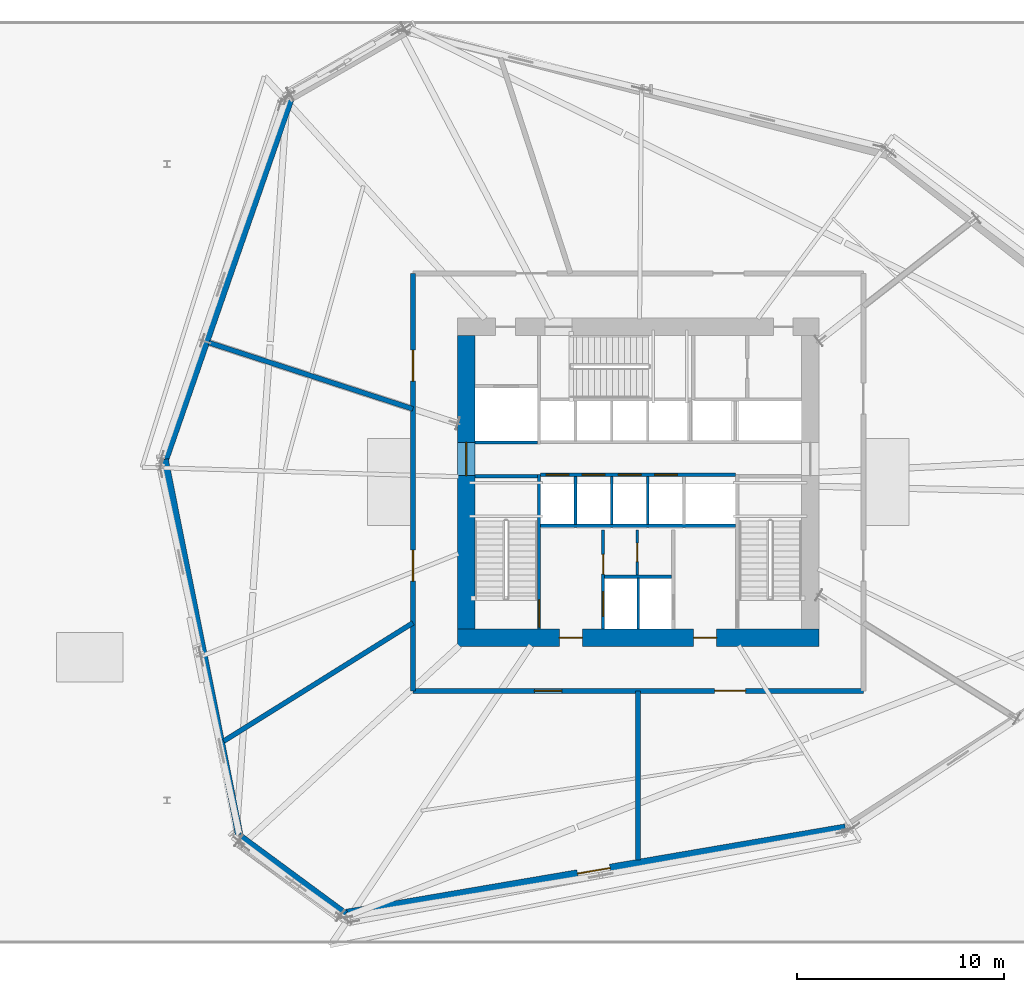
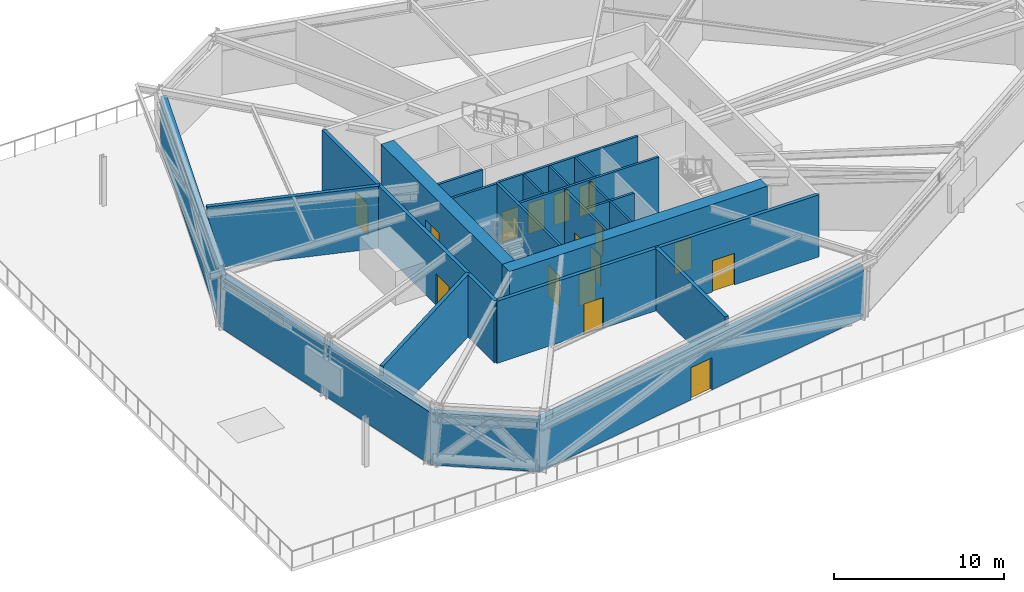
# One storey, part 13 of 20: 23 walls, 16 doors, 16 openings.
"""IFC4 building model written with IfcOpenShell, lengths in metres."""

from ifc_helpers import new_model, si_unit, direction, frame, frame_2d, origin, place, context, subcontext, project, spatial, rectangle, extrude, source, transform, mapped, material, layer, layer_set, type_object, type_shapes, element, fill, save


model = new_model("IFC4")

# Units and contexts
model_context = context("Model", 3, precision=1e-05, world=origin(), true_north=direction((0.0, 1.0)))
body_context = subcontext(model_context, "Body", "Model", "MODEL_VIEW")
ifc_project = project(units=[si_unit("LENGTHUNIT", "METRE"), si_unit("AREAUNIT", "SQUARE_METRE"), si_unit("VOLUMEUNIT", "CUBIC_METRE"), si_unit("PLANEANGLEUNIT", "RADIAN"), si_unit("MASSUNIT", "GRAM", prefix="KILO")], contexts=[model_context])

# Site, building, storey
site_placement = place(None, origin())
site = spatial("IfcSite", under=ifc_project, at=site_placement, CompositionType="ELEMENT")
building_placement = place(site_placement, origin())
building = spatial("IfcBuilding", under=site, at=building_placement, Name="Olszyna Solenne Hotel", CompositionType="ELEMENT")
storey_placement = place(building_placement, frame((0.0, 0.0, 24.60009765625)))
storey = spatial("IfcBuildingStorey", under=building, at=storey_placement, Name="L05", CompositionType="ELEMENT", Elevation=24.60009765625)

# Wall, openings, doors
ifc_material_1 = material(Name="Concrete C60/75", Category="concrete")
ifc_layer_1 = layer(ifc_material_1, 0.85009765625, Name="Concrete C60/75")
ifc_layer_set_1 = layer_set([ifc_layer_1], Name="Concrete C60/75")
wall_type_1 = type_object("IfcWallType", Name="WL-CR850", PredefinedType="SHEAR", material=ifc_layer_set_1)
wall_1_placement = place(storey_placement, frame((46.75, 19.074951171875, 0.0), z_axis=(0.0, 0.0, 1.0), x_axis=(-1.0, 0.0, 0.0)))
wall_1 = element("IfcWall", 1, at=wall_1_placement, inside=storey, type_object=wall_type_1, Name="Core shear wall WL-CR850 CRW-L05-S", PredefinedType="SHEAR", context=body_context, shape_type="SweptSolid", body=[
    extrude(rectangle(XDim=17.5, YDim=0.85009765625, at=frame_2d((8.75, 0.0))), origin(), (0.0, 0.0, 1.0), 4.449951171875),
])
opening_1_placement = place(wall_1_placement, frame((4.949951171875, 0.0, 0.0)))
opening_1 = element("IfcOpeningElement", 2, at=opening_1_placement, cuts=wall_1, Name="Opening FL-L05-1", PredefinedType="OPENING", context=body_context, shape_type="SweptSolid", body=[
    extrude(rectangle(XDim=1.1201171875, YDim=2.25, at=frame_2d((0.56005859375, 1.125))), frame((0.0, 0.43505859375, 0.0), z_axis=(0.0, -1.0, 0.0), x_axis=(1.0, 0.0, 0.0)), (0.0, 0.0, 1.0), 0.8701171875),
])
opening_2_placement = place(wall_1_placement, frame((11.449951171875, 0.0, 0.0)))
opening_2 = element("IfcOpeningElement", 3, at=opening_2_placement, cuts=wall_1, Name="Opening FL-L05-2", PredefinedType="OPENING", context=body_context, shape_type="SweptSolid", body=[
    extrude(rectangle(XDim=1.1201171875, YDim=2.25, at=frame_2d((0.56005859375, 1.125))), frame((0.0, 0.43505859375, 0.0), z_axis=(0.0, -1.0, 0.0), x_axis=(1.0, 0.0, 0.0)), (0.0, 0.0, 1.0), 0.8701171875),
])
ifc_material_2 = material(Name="Steel S355J2", Category="steel")
door_type_1 = type_object("IfcDoorType", Name="DR-FL1", OperationType="NOTDEFINED", PredefinedType="DOOR", material=ifc_material_2)
shared_shape_1 = source(origin(), body_context, "Body", "SweptSolid", [
    extrude(rectangle(XDim=1.1201171875, YDim=2.25, at=frame_2d((0.56005859375, 1.125))), frame((0.0, 0.02490234375, 0.0), z_axis=(0.0, -1.0, 0.0), x_axis=(1.0, 0.0, 0.0)), (0.0, 0.0, 1.0), 0.050048828125),
])
type_shapes(door_type_1, [shared_shape_1])
door_1_placement = place(opening_1_placement, origin())
door_1 = element("IfcDoor", 4, at=door_1_placement, inside=storey, type_object=door_type_1, Name="Firefighting lift lobby smoke door FL-L05-1", OperationType="SINGLE_SWING_LEFT", OverallHeight=2.25, OverallWidth=1.1201171875, PredefinedType="DOOR", context=body_context, shape_type="MappedRepresentation", body=[
    mapped(shared_shape_1, transform((0.0, 0.0, 0.0), x_axis=(1.0, 0.0, 0.0), y_axis=(0.0, 1.0, 0.0), z_axis=(0.0, 0.0, 1.0), scale=1.0)),
])
fill(opening_1, door_1)
door_2_placement = place(opening_2_placement, origin())
door_2 = element("IfcDoor", 5, at=door_2_placement, inside=storey, type_object=door_type_1, Name="Firefighting lift lobby smoke door FL-L05-2", OperationType="SINGLE_SWING_RIGHT", OverallHeight=2.25, OverallWidth=1.1201171875, PredefinedType="DOOR", context=body_context, shape_type="MappedRepresentation", body=[
    mapped(shared_shape_1, transform((0.0, 0.0, 0.0), x_axis=(1.0, 0.0, 0.0), y_axis=(0.0, 1.0, 0.0), z_axis=(0.0, 0.0, 1.0), scale=1.0)),
])
fill(opening_2, door_2)

# Wall, opening, door
wall_2_placement = place(storey_placement, frame((29.675048828125, 19.5, 0.0), z_axis=(0.0, 0.0, 1.0), x_axis=(0.0, 1.0, 0.0)))
wall_2 = element("IfcWall", 6, at=wall_2_placement, inside=storey, type_object=wall_type_1, Name="Core shear wall WL-CR850 CRW-L05-W", PredefinedType="SHEAR", context=body_context, shape_type="SweptSolid", body=[
    extrude(rectangle(XDim=14.199951171875, YDim=0.85009765625, at=frame_2d((7.10009765625, 0.0))), origin(), (0.0, 0.0, 1.0), 4.449951171875),
])
opening_3_placement = place(wall_2_placement, frame((7.419921875, 0.0, 0.0)))
opening_3 = element("IfcOpeningElement", 7, at=opening_3_placement, cuts=wall_2, Name="Opening LHD-L05-W", PredefinedType="OPENING", context=body_context, shape_type="SweptSolid", body=[
    extrude(rectangle(XDim=1.60009765625, YDim=2.199951171875, at=frame_2d((0.800048828125, 1.10009765625))), frame((0.0, 0.43505859375, 0.0), z_axis=(0.0, -1.0, 0.0), x_axis=(1.0, 0.0, 0.0)), (0.0, 0.0, 1.0), 0.8701171875),
])
ifc_material_3 = material(Name="Timber hardwood", Category="wood")
door_type_2 = type_object("IfcDoorType", Name="DR-CR1", OperationType="DOUBLE_DOOR_SINGLE_SWING", PredefinedType="DOOR", material=ifc_material_3)
shared_shape_2 = source(origin(), body_context, "Body", "SweptSolid", [
    extrude(rectangle(XDim=1.60009765625, YDim=2.199951171875, at=frame_2d((0.800048828125, 1.10009765625))), frame((0.0, 0.02490234375, 0.0), z_axis=(0.0, -1.0, 0.0), x_axis=(1.0, 0.0, 0.0)), (0.0, 0.0, 1.0), 0.050048828125),
])
type_shapes(door_type_2, [shared_shape_2])
door_3_placement = place(opening_3_placement, origin())
door_3 = element("IfcDoor", 8, at=door_3_placement, inside=storey, type_object=door_type_2, Name="Passenger lift lobby West fire door LHD-L05-W", OperationType="DOUBLE_DOOR_SINGLE_SWING", OverallHeight=2.199951171875, OverallWidth=1.60009765625, PredefinedType="DOOR", context=body_context, shape_type="MappedRepresentation", body=[
    mapped(shared_shape_2, transform((0.0, 0.0, 0.0), x_axis=(1.0, 0.0, 0.0), y_axis=(0.0, 1.0, 0.0), z_axis=(0.0, 0.0, 1.0), scale=1.0)),
])
fill(opening_3, door_3)

ifc_material_4 = material(Name="Terracotta cladding on precast concrete C45/55", Category="masonry")
ifc_layer_2 = layer(ifc_material_4, 0.3798828125, Name="Terracotta cladding on precast concrete C45/55")
ifc_layer_set_2 = layer_set([ifc_layer_2], Name="Terracotta cladding on precast concrete C45/55")
wall_type_2 = type_object("IfcWallType", Name="WL-EX380", PredefinedType="SOLIDWALL", material=ifc_layer_set_2)
wall_3_placement = place(storey_placement, frame((48.022216796875, 9.869873046875, 0.0), z_axis=(0.0, 0.0, 1.0), x_axis=(-0.985690903752, -0.168562873316, 0.0)))
wall_3 = element("IfcWall", 9, at=wall_3_placement, inside=storey, type_object=wall_type_2, Name="Exterior terracotta-precast frame wall WL-EX380 EW-L05-01", PredefinedType="SOLIDWALL", context=body_context, shape_type="SweptSolid", body=[
    extrude(rectangle(XDim=24.693115234375, YDim=0.3798828125, at=frame_2d((12.3466796875, 0.0))), origin(), (0.0, 0.0, 1.0), 3.741943359375),
])
opening_4_placement = place(wall_3_placement, frame((11.547119140625, 0.0, 0.0)))
opening_4 = element("IfcOpeningElement", 10, at=opening_4_placement, cuts=wall_3, Name="Opening TD-L05-1", PredefinedType="OPENING", context=body_context, shape_type="SweptSolid", body=[
    extrude(rectangle(XDim=1.60009765625, YDim=2.300048828125, at=frame_2d((0.800048828125, 1.14990234375))), frame((0.0, 0.199951171875, 0.0), z_axis=(0.0, -1.0, 0.0), x_axis=(1.0, 0.0, 0.0)), (0.0, 0.0, 1.0), 0.39990234375),
])
ifc_material_5 = material(Name="Anodised bronze aluminium", Category="aluminium")
door_type_3 = type_object("IfcDoorType", Name="DR-EX2", OperationType="DOUBLE_DOOR_SINGLE_SWING", PredefinedType="DOOR", material=ifc_material_5)
shared_shape_3 = source(origin(), body_context, "Body", "SweptSolid", [
    extrude(rectangle(XDim=1.60009765625, YDim=2.300048828125, at=frame_2d((0.800048828125, 1.14990234375))), frame((0.0, 0.02490234375, 0.0), z_axis=(0.0, -1.0, 0.0), x_axis=(1.0, 0.0, 0.0)), (0.0, 0.0, 1.0), 0.050048828125),
])
type_shapes(door_type_3, [shared_shape_3])
door_4_placement = place(opening_4_placement, origin())
door_4 = element("IfcDoor", 11, at=door_4_placement, inside=storey, type_object=door_type_3, Name="Podium roof terrace door TD-L05-1", OperationType="DOUBLE_DOOR_SINGLE_SWING", OverallHeight=2.300048828125, OverallWidth=1.60009765625, PredefinedType="DOOR", context=body_context, shape_type="MappedRepresentation", body=[
    mapped(shared_shape_3, transform((0.0, 0.0, 0.0), x_axis=(1.0, 0.0, 0.0), y_axis=(0.0, 1.0, 0.0), z_axis=(0.0, 0.0, 1.0), scale=1.0)),
])
fill(opening_4, door_4)

# Walls
wall_4_placement = place(storey_placement, frame((23.8271484375, 5.673095703125, 0.0), z_axis=(0.0, 0.0, 1.0), x_axis=(-0.804887121536, 0.593427941359, 0.0)))
element("IfcWall", 12, at=wall_4_placement, inside=storey, type_object=wall_type_2, Name="Exterior terracotta-precast frame wall WL-EX380 EW-L05-02", PredefinedType="SOLIDWALL", context=body_context, shape_type="SweptSolid", body=[
    extrude(rectangle(XDim=6.43896484375, YDim=0.3798828125, at=frame_2d((3.219482421875, 0.0))), origin(), (0.0, 0.0, 1.0), 3.741943359375),
])
for number, where, z_axis, x_axis, name in (
    (13, (18.718017578125, 9.37841796875, 0.0), (0.0, 0.0, 1.0), (-0.195238920641, 0.980755710596, 0.0), "Exterior terracotta-precast frame wall WL-EX380 EW-L05-03"),
    (14, (15.064208984375, 27.600341796875, 0.0), (0.0, 0.0, 1.0), (0.328121673654, 0.944635467934, 0.0), "Exterior terracotta-precast frame wall WL-EX380 EW-L05-04"),
):
    element("IfcWall", number, at=place(storey_placement, frame(where, z_axis=z_axis, x_axis=x_axis)), inside=storey, type_object=wall_type_2, Name=name, PredefinedType="SOLIDWALL", context=body_context, shape_type="SweptSolid", body=[
        extrude(rectangle(XDim=18.680908203125, YDim=0.3798828125, at=frame_2d((9.34033203125, 0.0))), origin(), (0.0, 0.0, 1.0), 3.741943359375),
    ])
ifc_material_6 = material(Name="Acoustic gypsum partition", Category="gypsum")
ifc_layer_3 = layer(ifc_material_6, 0.125, Name="Acoustic gypsum partition")
ifc_layer_set_3 = layer_set([ifc_layer_3], Name="Acoustic gypsum partition")
wall_type_3 = type_object("IfcWallType", Name="WL-PT125", PredefinedType="PARTITIONING", material=ifc_layer_set_3)
wall_5_placement = place(storey_placement, frame((38.0, 19.5, 0.0), z_axis=(0.0, 0.0, 1.0), x_axis=(0.0, 1.0, 0.0)))
element("IfcWall", 15, at=wall_5_placement, inside=storey, type_object=wall_type_3, Name="Core shaft compartment wall CW-L05-FFM", PredefinedType="PARTITIONING", context=body_context, shape_type="SweptSolid", body=[
    extrude(rectangle(XDim=2.4599609375, YDim=0.125, at=frame_2d((1.22998046875, 0.0))), origin(), (0.0, 0.0, 1.0), 4.449951171875),
])

# Wall, opening, door
wall_6_placement = place(storey_placement, frame((37.9599609375, 22.10009765625, 0.0), z_axis=(0.0, 0.0, 1.0), x_axis=(0.0, 1.0, 0.0)))
wall_6 = element("IfcWall", 16, at=wall_6_placement, inside=storey, type_object=wall_type_3, Name="Core shaft compartment wall CW-L05-SC1", PredefinedType="PARTITIONING", context=body_context, shape_type="SweptSolid", body=[
    extrude(rectangle(XDim=2.179931640625, YDim=0.125, at=frame_2d((1.08984375, 0.0))), origin(), (0.0, 0.0, 1.0), 4.449951171875),
])
opening_5_placement = place(wall_6_placement, frame((0.64990234375, 0.0, 0.0)))
opening_5 = element("IfcOpeningElement", 17, at=opening_5_placement, cuts=wall_6, Name="Opening SVD-L05-SC1", PredefinedType="OPENING", context=body_context, shape_type="SweptSolid", body=[
    extrude(rectangle(XDim=0.89990234375, YDim=2.10009765625, at=frame_2d((0.449951171875, 1.050048828125))), frame((0.0, 0.072509765625, 0.0), z_axis=(0.0, -1.0, 0.0), x_axis=(1.0, 0.0, 0.0)), (0.0, 0.0, 1.0), 0.14501953125),
])
door_type_4 = type_object("IfcDoorType", Name="DR-WC1", OperationType="NOTDEFINED", PredefinedType="DOOR", material=ifc_material_3)
shared_shape_4 = source(origin(), body_context, "Body", "SweptSolid", [
    extrude(rectangle(XDim=0.89990234375, YDim=2.10009765625, at=frame_2d((0.449951171875, 1.050048828125))), frame((0.0, 0.02490234375, 0.0), z_axis=(0.0, -1.0, 0.0), x_axis=(1.0, 0.0, 0.0)), (0.0, 0.0, 1.0), 0.050048828125),
])
type_shapes(door_type_4, [shared_shape_4])
door_5_placement = place(opening_5_placement, origin())
door_5 = element("IfcDoor", 18, at=door_5_placement, inside=storey, type_object=door_type_4, Name="Pantry locker door SVD-L05-SC1", OperationType="SINGLE_SWING_LEFT", OverallHeight=2.10009765625, OverallWidth=0.89990234375, PredefinedType="DOOR", context=body_context, shape_type="MappedRepresentation", body=[
    mapped(shared_shape_4, transform((0.0, 0.0, 0.0), x_axis=(1.0, 0.0, 0.0), y_axis=(0.0, 1.0, 0.0), z_axis=(0.0, 0.0, 1.0), scale=1.0)),
])
fill(opening_5, door_5)

# Walls
for number, where, z_axis, x_axis, name in (
    (19, (34.965087890625, 24.56005859375, 0.0), (0.0, 0.0, 1.0), (0.0, 1.0, 0.0), "Core shaft compartment wall CW-L05-DIVS349"),
    (20, (36.715087890625, 24.56005859375, 0.0), (0.0, 0.0, 1.0), (0.0, 1.0, 0.0), "Core shaft compartment wall CW-L05-DIVS367"),
    (21, (38.465087890625, 24.56005859375, 0.0), (0.0, 0.0, 1.0), (0.0, 1.0, 0.0), "Core shaft compartment wall CW-L05-DIVS384"),
):
    element("IfcWall", number, at=place(storey_placement, frame(where, z_axis=z_axis, x_axis=x_axis)), inside=storey, type_object=wall_type_3, Name=name, PredefinedType="PARTITIONING", context=body_context, shape_type="SweptSolid", body=[
        extrude(rectangle(XDim=2.31005859375, YDim=0.125, at=frame_2d((1.155029296875, 0.0))), origin(), (0.0, 0.0, 1.0), 4.449951171875),
    ])

# Wall, opening, door
ifc_layer_4 = layer(ifc_material_6, 0.159912109375, Name="Acoustic gypsum partition")
ifc_layer_set_4 = layer_set([ifc_layer_4], Name="Acoustic gypsum partition")
wall_type_4 = type_object("IfcWallType", Name="WL-PT160", PredefinedType="PARTITIONING", material=ifc_layer_set_4)
wall_7_placement = place(storey_placement, frame((33.199951171875, 19.5, 0.0), z_axis=(0.0, 0.0, 1.0), x_axis=(0.0, 1.0, 0.0)))
wall_7 = element("IfcWall", 22, at=wall_7_placement, inside=storey, type_object=wall_type_4, Name="Core shaft compartment wall CW-L05-ST1E", PredefinedType="PARTITIONING", context=body_context, shape_type="SweptSolid", body=[
    extrude(rectangle(XDim=7.4599609375, YDim=0.159912109375, at=frame_2d((3.72998046875, 0.0))), origin(), (0.0, 0.0, 1.0), 4.449951171875),
])
opening_6_placement = place(wall_7_placement, frame((0.080078125, 0.0, 0.0)))
opening_6 = element("IfcOpeningElement", 23, at=opening_6_placement, cuts=wall_7, Name="Opening STD-L05-01", PredefinedType="OPENING", context=body_context, shape_type="SweptSolid", body=[
    extrude(rectangle(XDim=1.320068359375, YDim=2.199951171875, at=frame_2d((0.66015625, 1.10009765625))), frame((0.0, 0.08984375, 0.0), z_axis=(0.0, -1.0, 0.0), x_axis=(1.0, 0.0, 0.0)), (0.0, 0.0, 1.0), 0.179931640625),
])
door_type_5 = type_object("IfcDoorType", Name="DR-ST1", OperationType="NOTDEFINED", PredefinedType="DOOR", material=ifc_material_2)
shared_shape_5 = source(origin(), body_context, "Body", "SweptSolid", [
    extrude(rectangle(XDim=1.320068359375, YDim=2.199951171875, at=frame_2d((0.66015625, 1.10009765625))), frame((0.0, 0.02490234375, 0.0), z_axis=(0.0, -1.0, 0.0), x_axis=(1.0, 0.0, 0.0)), (0.0, 0.0, 1.0), 0.050048828125),
])
type_shapes(door_type_5, [shared_shape_5])
door_6_placement = place(opening_6_placement, origin())
door_6 = element("IfcDoor", 24, at=door_6_placement, inside=storey, type_object=door_type_5, Name="Pressurised exit stair ST1 fire door STD-L05-01", OperationType="SINGLE_SWING_LEFT", OverallHeight=2.199951171875, OverallWidth=1.320068359375, PredefinedType="DOOR", context=body_context, shape_type="MappedRepresentation", body=[
    mapped(shared_shape_5, transform((0.0, 0.0, 0.0), x_axis=(1.0, 0.0, 0.0), y_axis=(0.0, 1.0, 0.0), z_axis=(0.0, 0.0, 1.0), scale=1.0)),
])
fill(opening_6, door_6)

# Wall
wall_8_placement = place(storey_placement, frame((30.10009765625, 26.8798828125, 0.0), z_axis=(0.0, 0.0, 1.0), x_axis=(1.0, 0.0, 0.0)))
element("IfcWall", 25, at=wall_8_placement, inside=storey, type_object=wall_type_4, Name="Core shaft compartment wall CW-L05-ST1N", PredefinedType="PARTITIONING", context=body_context, shape_type="SweptSolid", body=[
    extrude(rectangle(XDim=3.02001953125, YDim=0.159912109375, at=frame_2d((1.510009765625, 0.0))), origin(), (0.0, 0.0, 1.0), 4.449951171875),
])

# Wall, openings, doors
wall_9_placement = place(storey_placement, frame((36.300048828125, 19.5, 0.0), z_axis=(0.0, 0.0, 1.0), x_axis=(0.0, 1.0, 0.0)))
wall_9 = element("IfcWall", 26, at=wall_9_placement, inside=storey, type_object=wall_type_4, Name="Core shaft compartment wall CW-L05-FF1W", PredefinedType="PARTITIONING", context=body_context, shape_type="SweptSolid", body=[
    extrude(rectangle(XDim=4.780029296875, YDim=0.159912109375, at=frame_2d((2.39013671875, 0.0))), origin(), (0.0, 0.0, 1.0), 4.449951171875),
])
opening_7_placement = place(wall_9_placement, frame((0.60009765625, 0.0, 0.0)))
opening_7 = element("IfcOpeningElement", 27, at=opening_7_placement, cuts=wall_9, Name="Opening LD-L05-FF1", PredefinedType="OPENING", context=body_context, shape_type="SweptSolid", body=[
    extrude(rectangle(XDim=1.199951171875, YDim=2.199951171875, at=frame_2d((0.60009765625, 1.10009765625))), frame((0.0, 0.08984375, 0.0), z_axis=(0.0, -1.0, 0.0), x_axis=(1.0, 0.0, 0.0)), (0.0, 0.0, 1.0), 0.179931640625),
])
opening_8_placement = place(wall_9_placement, frame((2.64990234375, 0.0, 0.0)))
opening_8 = element("IfcOpeningElement", 28, at=opening_8_placement, cuts=wall_9, Name="Opening SVD-L05-SMK", PredefinedType="OPENING", context=body_context, shape_type="SweptSolid", body=[
    extrude(rectangle(XDim=0.949951171875, YDim=2.10009765625, at=frame_2d((0.47509765625, 1.050048828125))), frame((0.0, 0.08984375, 0.0), z_axis=(0.0, -1.0, 0.0), x_axis=(1.0, 0.0, 0.0)), (0.0, 0.0, 1.0), 0.179931640625),
])
door_type_6 = type_object("IfcDoorType", Name="DR-SV1", OperationType="NOTDEFINED", PredefinedType="DOOR", material=ifc_material_2)
shared_shape_6 = source(origin(), body_context, "Body", "SweptSolid", [
    extrude(rectangle(XDim=0.949951171875, YDim=2.10009765625, at=frame_2d((0.47509765625, 1.050048828125))), frame((0.0, 0.02490234375, 0.0), z_axis=(0.0, -1.0, 0.0), x_axis=(1.0, 0.0, 0.0)), (0.0, 0.0, 1.0), 0.050048828125),
])
type_shapes(door_type_6, [shared_shape_6])
door_7_placement = place(opening_8_placement, origin())
door_7 = element("IfcDoor", 29, at=door_7_placement, inside=storey, type_object=door_type_6, Name="Valet and core service room door SVD-L05-SMK", OperationType="SINGLE_SWING_LEFT", OverallHeight=2.10009765625, OverallWidth=0.949951171875, PredefinedType="DOOR", context=body_context, shape_type="MappedRepresentation", body=[
    mapped(shared_shape_6, transform((0.0, 0.0, 0.0), x_axis=(1.0, 0.0, 0.0), y_axis=(0.0, 1.0, 0.0), z_axis=(0.0, 0.0, 1.0), scale=1.0)),
])
fill(opening_8, door_7)
door_type_7 = type_object("IfcDoorType", Name="LD-FF1", OperationType="DOUBLE_DOOR_SLIDING", PredefinedType="DOOR", material=ifc_material_2)
shared_shape_7 = source(origin(), body_context, "Body", "SweptSolid", [
    extrude(rectangle(XDim=1.199951171875, YDim=2.199951171875, at=frame_2d((0.60009765625, 1.10009765625))), frame((0.0, 0.02490234375, 0.0), z_axis=(0.0, -1.0, 0.0), x_axis=(1.0, 0.0, 0.0)), (0.0, 0.0, 1.0), 0.050048828125),
])
type_shapes(door_type_7, [shared_shape_7])
door_8_placement = place(opening_7_placement, origin())
door_8 = element("IfcDoor", 30, at=door_8_placement, inside=storey, type_object=door_type_7, Name="Firefighters lift FF1 sliding landing door LD-L05-FF1", OperationType="DOUBLE_DOOR_SLIDING", OverallHeight=2.199951171875, OverallWidth=1.199951171875, PredefinedType="DOOR", context=body_context, shape_type="MappedRepresentation", body=[
    mapped(shared_shape_7, transform((0.0, 0.0, 0.0), x_axis=(1.0, 0.0, 0.0), y_axis=(0.0, 1.0, 0.0), z_axis=(0.0, 0.0, 1.0), scale=1.0)),
])
fill(opening_7, door_8)

# Walls
wall_10_placement = place(storey_placement, frame((36.3798828125, 22.02001953125, 0.0), z_axis=(0.0, 0.0, 1.0), x_axis=(1.0, 0.0, 0.0)))
element("IfcWall", 31, at=wall_10_placement, inside=storey, type_object=wall_type_4, Name="Core shaft compartment wall CW-L05-FFN", PredefinedType="PARTITIONING", context=body_context, shape_type="SweptSolid", body=[
    extrude(rectangle(XDim=3.240234375, YDim=0.159912109375, at=frame_2d((1.6201171875, 0.0))), origin(), (0.0, 0.0, 1.0), 4.449951171875),
])
wall_11_placement = place(storey_placement, frame((33.280029296875, 24.489990234375, 0.0), z_axis=(0.0, 0.0, 1.0), x_axis=(1.0, 0.0, 0.0)))
element("IfcWall", 32, at=wall_11_placement, inside=storey, type_object=wall_type_4, Name="Core shaft compartment wall CW-L05-FFBN", PredefinedType="PARTITIONING", context=body_context, shape_type="SweptSolid", body=[
    extrude(rectangle(XDim=9.43994140625, YDim=0.159912109375, at=frame_2d((4.719970703125, 0.0))), origin(), (0.0, 0.0, 1.0), 4.449951171875),
])
wall_12_placement = place(storey_placement, frame((30.10009765625, 28.52001953125, 0.0), z_axis=(0.0, 0.0, 1.0), x_axis=(1.0, 0.0, 0.0)))
element("IfcWall", 33, at=wall_12_placement, inside=storey, type_object=wall_type_4, Name="Core shaft compartment wall CW-L05-SV1S", PredefinedType="PARTITIONING", context=body_context, shape_type="SweptSolid", body=[
    extrude(rectangle(XDim=3.02001953125, YDim=0.159912109375, at=frame_2d((1.510009765625, 0.0))), origin(), (0.0, 0.0, 1.0), 4.449951171875),
])

# Wall, openings, doors
wall_13_placement = place(storey_placement, frame((33.280029296875, 26.949951171875, 0.0), z_axis=(0.0, 0.0, 1.0), x_axis=(1.0, 0.0, 0.0)))
wall_13 = element("IfcWall", 34, at=wall_13_placement, inside=storey, type_object=wall_type_4, Name="Core shaft compartment wall CW-L05-LRS", PredefinedType="PARTITIONING", context=body_context, shape_type="SweptSolid", body=[
    extrude(rectangle(XDim=9.43994140625, YDim=0.159912109375, at=frame_2d((4.719970703125, 0.0))), origin(), (0.0, 0.0, 1.0), 4.449951171875),
])
opening_9_placement = place(wall_13_placement, frame((0.260009765625, 0.0, 0.0)))
opening_9 = element("IfcOpeningElement", 35, at=opening_9_placement, cuts=wall_13, Name="Opening LD-L05-PL1", PredefinedType="OPENING", context=body_context, shape_type="SweptSolid", body=[
    extrude(rectangle(XDim=1.10009765625, YDim=2.199951171875, at=frame_2d((0.550048828125, 1.10009765625))), frame((0.0, 0.08984375, 0.0), z_axis=(0.0, -1.0, 0.0), x_axis=(1.0, 0.0, 0.0)), (0.0, 0.0, 1.0), 0.179931640625),
])
opening_10_placement = place(wall_13_placement, frame((2.010009765625, 0.0, 0.0)))
opening_10 = element("IfcOpeningElement", 36, at=opening_10_placement, cuts=wall_13, Name="Opening LD-L05-PL2", PredefinedType="OPENING", context=body_context, shape_type="SweptSolid", body=[
    extrude(rectangle(XDim=1.10009765625, YDim=2.199951171875, at=frame_2d((0.550048828125, 1.10009765625))), frame((0.0, 0.08984375, 0.0), z_axis=(0.0, -1.0, 0.0), x_axis=(1.0, 0.0, 0.0)), (0.0, 0.0, 1.0), 0.179931640625),
])
opening_11_placement = place(wall_13_placement, frame((3.760009765625, 0.0, 0.0)))
opening_11 = element("IfcOpeningElement", 37, at=opening_11_placement, cuts=wall_13, Name="Opening LD-L05-PL3", PredefinedType="OPENING", context=body_context, shape_type="SweptSolid", body=[
    extrude(rectangle(XDim=1.10009765625, YDim=2.199951171875, at=frame_2d((0.550048828125, 1.10009765625))), frame((0.0, 0.08984375, 0.0), z_axis=(0.0, -1.0, 0.0), x_axis=(1.0, 0.0, 0.0)), (0.0, 0.0, 1.0), 0.179931640625),
])
opening_12_placement = place(wall_13_placement, frame((5.510009765625, 0.0, 0.0)))
opening_12 = element("IfcOpeningElement", 38, at=opening_12_placement, cuts=wall_13, Name="Opening LD-L05-PL4", PredefinedType="OPENING", context=body_context, shape_type="SweptSolid", body=[
    extrude(rectangle(XDim=1.10009765625, YDim=2.199951171875, at=frame_2d((0.550048828125, 1.10009765625))), frame((0.0, 0.08984375, 0.0), z_axis=(0.0, -1.0, 0.0), x_axis=(1.0, 0.0, 0.0)), (0.0, 0.0, 1.0), 0.179931640625),
])
door_type_8 = type_object("IfcDoorType", Name="LD-P1", OperationType="DOUBLE_DOOR_SLIDING", PredefinedType="DOOR", material=ifc_material_2)
shared_shape_8 = source(origin(), body_context, "Body", "SweptSolid", [
    extrude(rectangle(XDim=1.10009765625, YDim=2.199951171875, at=frame_2d((0.550048828125, 1.10009765625))), frame((0.0, 0.02490234375, 0.0), z_axis=(0.0, -1.0, 0.0), x_axis=(1.0, 0.0, 0.0)), (0.0, 0.0, 1.0), 0.050048828125),
])
type_shapes(door_type_8, [shared_shape_8])
door_9_placement = place(opening_9_placement, origin())
door_9 = element("IfcDoor", 39, at=door_9_placement, inside=storey, type_object=door_type_8, Name="Passenger lift PL1 sliding landing door LD-L05-PL1", OperationType="DOUBLE_DOOR_SLIDING", OverallHeight=2.199951171875, OverallWidth=1.10009765625, PredefinedType="DOOR", context=body_context, shape_type="MappedRepresentation", body=[
    mapped(shared_shape_8, transform((0.0, 0.0, 0.0), x_axis=(1.0, 0.0, 0.0), y_axis=(0.0, 1.0, 0.0), z_axis=(0.0, 0.0, 1.0), scale=1.0)),
])
fill(opening_9, door_9)
door_10_placement = place(opening_10_placement, origin())
door_10 = element("IfcDoor", 40, at=door_10_placement, inside=storey, type_object=door_type_8, Name="Passenger lift PL2 sliding landing door LD-L05-PL2", OperationType="DOUBLE_DOOR_SLIDING", OverallHeight=2.199951171875, OverallWidth=1.10009765625, PredefinedType="DOOR", context=body_context, shape_type="MappedRepresentation", body=[
    mapped(shared_shape_8, transform((0.0, 0.0, 0.0), x_axis=(1.0, 0.0, 0.0), y_axis=(0.0, 1.0, 0.0), z_axis=(0.0, 0.0, 1.0), scale=1.0)),
])
fill(opening_10, door_10)
door_11_placement = place(opening_11_placement, origin())
door_11 = element("IfcDoor", 41, at=door_11_placement, inside=storey, type_object=door_type_8, Name="Passenger lift PL3 sliding landing door LD-L05-PL3", OperationType="DOUBLE_DOOR_SLIDING", OverallHeight=2.199951171875, OverallWidth=1.10009765625, PredefinedType="DOOR", context=body_context, shape_type="MappedRepresentation", body=[
    mapped(shared_shape_8, transform((0.0, 0.0, 0.0), x_axis=(1.0, 0.0, 0.0), y_axis=(0.0, 1.0, 0.0), z_axis=(0.0, 0.0, 1.0), scale=1.0)),
])
fill(opening_11, door_11)
door_12_placement = place(opening_12_placement, origin())
door_12 = element("IfcDoor", 42, at=door_12_placement, inside=storey, type_object=door_type_8, Name="Passenger lift PL4 sliding landing door LD-L05-PL4", OperationType="DOUBLE_DOOR_SLIDING", OverallHeight=2.199951171875, OverallWidth=1.10009765625, PredefinedType="DOOR", context=body_context, shape_type="MappedRepresentation", body=[
    mapped(shared_shape_8, transform((0.0, 0.0, 0.0), x_axis=(1.0, 0.0, 0.0), y_axis=(0.0, 1.0, 0.0), z_axis=(0.0, 0.0, 1.0), scale=1.0)),
])
fill(opening_12, door_12)

# Walls
ifc_layer_5 = layer(ifc_material_6, 0.239990234375, Name="Acoustic gypsum partition")
ifc_layer_set_5 = layer_set([ifc_layer_5], Name="Acoustic gypsum partition")
wall_type_5 = type_object("IfcWallType", Name="WL-PT240", PredefinedType="PARTITIONING", material=ifc_layer_set_5)
wall_14_placement = place(storey_placement, frame((27.10009765625, 19.788818359375, 0.0), z_axis=(0.0, 0.0, 1.0), x_axis=(-0.848052891323, -0.529911590285, 0.0)))
element("IfcWall", 43, at=wall_14_placement, inside=storey, type_object=wall_type_5, Name="Interior acoustic partition WL-PT240 PW-L05-0318", PredefinedType="PARTITIONING", context=body_context, shape_type="SweptSolid", body=[
    extrude(rectangle(XDim=10.803466796875, YDim=0.239990234375, at=frame_2d((5.40185546875, 0.0))), origin(), (0.0, 0.0, 1.0), 4.449951171875),
])
wall_15_placement = place(storey_placement, frame((38.0, 16.5, 0.0), z_axis=(0.0, 0.0, 1.0), x_axis=(0.0, -1.0, 0.0)))
element("IfcWall", 44, at=wall_15_placement, inside=storey, type_object=wall_type_5, Name="Interior acoustic partition WL-PT240 PW-L05-0319", PredefinedType="PARTITIONING", context=body_context, shape_type="SweptSolid", body=[
    extrude(rectangle(XDim=8.19189453125, YDim=0.239990234375, at=frame_2d((4.095947265625, 0.0))), origin(), (0.0, 0.0, 1.0), 4.449951171875),
])
wall_16_placement = place(storey_placement, frame((27.10009765625, 30.1416015625, 0.0), z_axis=(0.0, 0.0, 1.0), x_axis=(-0.951057900691, 0.309012733611, 0.0)))
element("IfcWall", 45, at=wall_16_placement, inside=storey, type_object=wall_type_5, Name="Interior acoustic partition WL-PT240 PW-L05-0323", PredefinedType="PARTITIONING", context=body_context, shape_type="SweptSolid", body=[
    extrude(rectangle(XDim=10.3876953125, YDim=0.239990234375, at=frame_2d((5.19384765625, 0.0))), origin(), (0.0, 0.0, 1.0), 4.449951171875),
])

# Wall, openings, doors
wall_17_placement = place(storey_placement, frame((27.10009765625, 16.5, 0.0), z_axis=(0.0, 0.0, 1.0), x_axis=(1.0, 0.0, 0.0)))
wall_17 = element("IfcWall", 46, at=wall_17_placement, inside=storey, type_object=wall_type_5, Name="Interior acoustic partition WL-PT240 PW-L05-0324", PredefinedType="PARTITIONING", context=body_context, shape_type="SweptSolid", body=[
    extrude(rectangle(XDim=21.7998046875, YDim=0.239990234375, at=frame_2d((10.89990234375, 0.0))), origin(), (0.0, 0.0, 1.0), 4.449951171875),
])
opening_13_placement = place(wall_17_placement, frame((5.8798828125, 0.0, 0.0)))
opening_13 = element("IfcOpeningElement", 47, at=opening_13_placement, cuts=wall_17, Name="Opening DR-L05-0068", PredefinedType="OPENING", context=body_context, shape_type="SweptSolid", body=[
    extrude(rectangle(XDim=1.320068359375, YDim=2.199951171875, at=frame_2d((0.66015625, 1.10009765625))), frame((0.0, 0.1298828125, 0.0), z_axis=(0.0, -1.0, 0.0), x_axis=(1.0, 0.0, 0.0)), (0.0, 0.0, 1.0), 0.260009765625),
])
opening_14_placement = place(wall_17_placement, frame((14.60009765625, 0.0, 0.0)))
opening_14 = element("IfcOpeningElement", 48, at=opening_14_placement, cuts=wall_17, Name="Opening DR-L05-0069", PredefinedType="OPENING", context=body_context, shape_type="SweptSolid", body=[
    extrude(rectangle(XDim=1.5, YDim=2.25, at=frame_2d((0.75, 1.125))), frame((0.0, 0.1298828125, 0.0), z_axis=(0.0, -1.0, 0.0), x_axis=(1.0, 0.0, 0.0)), (0.0, 0.0, 1.0), 0.260009765625),
])
door_13_placement = place(opening_13_placement, origin())
door_13 = element("IfcDoor", 49, at=door_13_placement, inside=storey, type_object=door_type_5, Name="Refuge / Plant Fire Door DR-L05-0068", OperationType="SINGLE_SWING_LEFT", OverallHeight=2.199951171875, OverallWidth=1.320068359375, PredefinedType="DOOR", context=body_context, shape_type="MappedRepresentation", body=[
    mapped(shared_shape_5, transform((0.0, 0.0, 0.0), x_axis=(1.0, 0.0, 0.0), y_axis=(0.0, 1.0, 0.0), z_axis=(0.0, 0.0, 1.0), scale=1.0)),
])
fill(opening_13, door_13)
door_type_9 = type_object("IfcDoorType", Name="DR-PL1", OperationType="DOUBLE_DOOR_SINGLE_SWING", PredefinedType="DOOR", material=ifc_material_2)
shared_shape_9 = source(origin(), body_context, "Body", "SweptSolid", [
    extrude(rectangle(XDim=1.5, YDim=2.25, at=frame_2d((0.75, 1.125))), frame((0.0, 0.02490234375, 0.0), z_axis=(0.0, -1.0, 0.0), x_axis=(1.0, 0.0, 0.0)), (0.0, 0.0, 1.0), 0.050048828125),
])
type_shapes(door_type_9, [shared_shape_9])
door_14_placement = place(opening_14_placement, origin())
door_14 = element("IfcDoor", 50, at=door_14_placement, inside=storey, type_object=door_type_9, Name="Refuge / Plant Fire Door DR-L05-0069", OperationType="DOUBLE_DOOR_SINGLE_SWING", OverallHeight=2.25, OverallWidth=1.5, PredefinedType="DOOR", context=body_context, shape_type="MappedRepresentation", body=[
    mapped(shared_shape_9, transform((0.0, 0.0, 0.0), x_axis=(1.0, 0.0, 0.0), y_axis=(0.0, 1.0, 0.0), z_axis=(0.0, 0.0, 1.0), scale=1.0)),
])
fill(opening_14, door_14)

wall_18_placement = place(storey_placement, frame((27.10009765625, 16.5, 0.0), z_axis=(0.0, 0.0, 1.0), x_axis=(0.0, 1.0, 0.0)))
wall_18 = element("IfcWall", 51, at=wall_18_placement, inside=storey, type_object=wall_type_5, Name="Interior acoustic partition WL-PT240 PW-L05-0326", PredefinedType="PARTITIONING", context=body_context, shape_type="SweptSolid", body=[
    extrude(rectangle(XDim=20.199951171875, YDim=0.239990234375, at=frame_2d((10.10009765625, 0.0))), origin(), (0.0, 0.0, 1.0), 4.449951171875),
])
opening_15_placement = place(wall_18_placement, frame((5.31005859375, 0.0, 0.0)))
opening_15 = element("IfcOpeningElement", 52, at=opening_15_placement, cuts=wall_18, Name="Opening DR-L05-0072", PredefinedType="OPENING", context=body_context, shape_type="SweptSolid", body=[
    extrude(rectangle(XDim=1.5, YDim=2.25, at=frame_2d((0.75, 1.125))), frame((0.0, 0.1298828125, 0.0), z_axis=(0.0, -1.0, 0.0), x_axis=(1.0, 0.0, 0.0)), (0.0, 0.0, 1.0), 0.260009765625),
])
opening_16_placement = place(wall_18_placement, frame((14.989990234375, 0.0, 0.0)))
opening_16 = element("IfcOpeningElement", 53, at=opening_16_placement, cuts=wall_18, Name="Opening DR-L05-0073", PredefinedType="OPENING", context=body_context, shape_type="SweptSolid", body=[
    extrude(rectangle(XDim=1.5, YDim=2.25, at=frame_2d((0.75, 1.125))), frame((0.0, 0.1298828125, 0.0), z_axis=(0.0, -1.0, 0.0), x_axis=(1.0, 0.0, 0.0)), (0.0, 0.0, 1.0), 0.260009765625),
])
door_15_placement = place(opening_15_placement, origin())
door_15 = element("IfcDoor", 54, at=door_15_placement, inside=storey, type_object=door_type_9, Name="Refuge / Plant Fire Door DR-L05-0072", OperationType="DOUBLE_DOOR_SINGLE_SWING", OverallHeight=2.25, OverallWidth=1.5, PredefinedType="DOOR", context=body_context, shape_type="MappedRepresentation", body=[
    mapped(shared_shape_9, transform((0.0, 0.0, 0.0), x_axis=(1.0, 0.0, 0.0), y_axis=(0.0, 1.0, 0.0), z_axis=(0.0, 0.0, 1.0), scale=1.0)),
])
fill(opening_15, door_15)
door_16_placement = place(opening_16_placement, origin())
door_16 = element("IfcDoor", 55, at=door_16_placement, inside=storey, type_object=door_type_9, Name="Refuge / Plant Fire Door DR-L05-0073", OperationType="DOUBLE_DOOR_SINGLE_SWING", OverallHeight=2.25, OverallWidth=1.5, PredefinedType="DOOR", context=body_context, shape_type="MappedRepresentation", body=[
    mapped(shared_shape_9, transform((0.0, 0.0, 0.0), x_axis=(1.0, 0.0, 0.0), y_axis=(0.0, 1.0, 0.0), z_axis=(0.0, 0.0, 1.0), scale=1.0)),
])
fill(opening_16, door_16)

save(model, "model.ifc")
